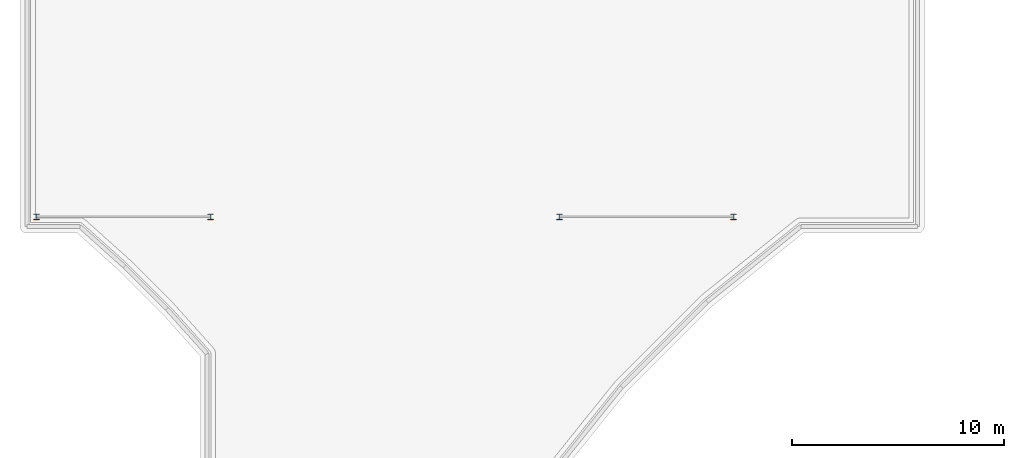
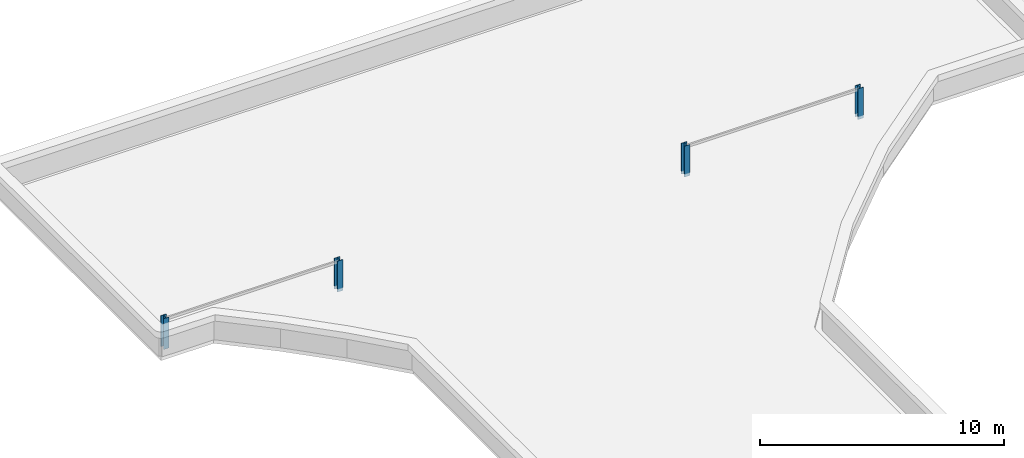
# One storey, part 1 of 39: 4 columns.
"""IFC4 building model written with IfcOpenShell, lengths in metres."""

from ifc_helpers import new_model, si_unit, direction, frame, origin, origin_2d, place, context, subcontext, project, spatial, i_section, extrude, material, material_profile, profile_set, type_object, element, save


model = new_model("IFC4")

# Units and contexts
model_context = context("Model", 3, precision=1e-05, world=origin(), true_north=direction((0.0, 1.0)))
body_context = subcontext(model_context, "Body", "Model", "MODEL_VIEW")
ifc_project = project(units=[si_unit("LENGTHUNIT", "METRE"), si_unit("AREAUNIT", "SQUARE_METRE"), si_unit("VOLUMEUNIT", "CUBIC_METRE"), si_unit("PLANEANGLEUNIT", "RADIAN"), si_unit("MASSUNIT", "GRAM", prefix="KILO")], contexts=[model_context])

# Site, building, storey
site_placement = place(None, origin())
site = spatial("IfcSite", under=ifc_project, at=site_placement, CompositionType="ELEMENT")
building_placement = place(site_placement, origin())
building = spatial("IfcBuilding", under=site, at=building_placement, Name="Keldmere Railside Commons", CompositionType="ELEMENT")
storey_placement = place(building_placement, frame((0.0, 0.0, 32.9599609375)))
storey = spatial("IfcBuildingStorey", under=building, at=storey_placement, Name="L10", CompositionType="ELEMENT", Elevation=32.9599609375)

# Columns
ifc_material = material(Name="Steel F-36 (S355)", Category="steel")
ifc_material_profile = material_profile(ifc_material, i_section(OverallWidth=0.260009765625, OverallDepth=0.260009765625, WebThickness=0.010009765625, FlangeThickness=0.017578125, at=origin_2d()), Name="HEB-260")
ifc_profile_set = profile_set([ifc_material_profile], Name="Steel F-36 (S355)")
column_type = type_object("IfcColumnType", Name="Pavilion Clerestory Steel Post HEB260", PredefinedType="COLUMN", material=ifc_profile_set)
for number, where, z_axis, x_axis, name in (
    (1, (39.949951171875, 100.449951171875, 0.0), (0.0, 0.0, 1.0), (1.0, 0.0, 0.0), "SC-3 COL-L10-0346"),
    (2, (48.169921875, 100.449951171875, 0.0), (0.0, 0.0, 1.0), (1.0, 0.0, 0.0), "SC-3 COL-L10-0396"),
    (3, (64.610107421875, 100.449951171875, 0.0), (0.0, 0.0, 1.0), (1.0, 0.0, 0.0), "SC-3 COL-L10-0650"),
    (4, (72.830078125, 100.449951171875, 0.0), (0.0, 0.0, 1.0), (1.0, 0.0, 0.0), "SC-3 COL-L10-0695"),
):
    element("IfcColumn", number, at=place(storey_placement, frame(where, z_axis=z_axis, x_axis=x_axis)), inside=storey, type_object=column_type, Name=name, PredefinedType="COLUMN", context=body_context, shape_type="SweptSolid", body=[
        extrude(i_section(OverallWidth=0.260009765625, OverallDepth=0.260009765625, WebThickness=0.010009765625, FlangeThickness=0.017578125, at=origin_2d()), origin(), (0.0, 0.0, 1.0), 1.550048828125),
    ])

save(model, "model.ifc")
